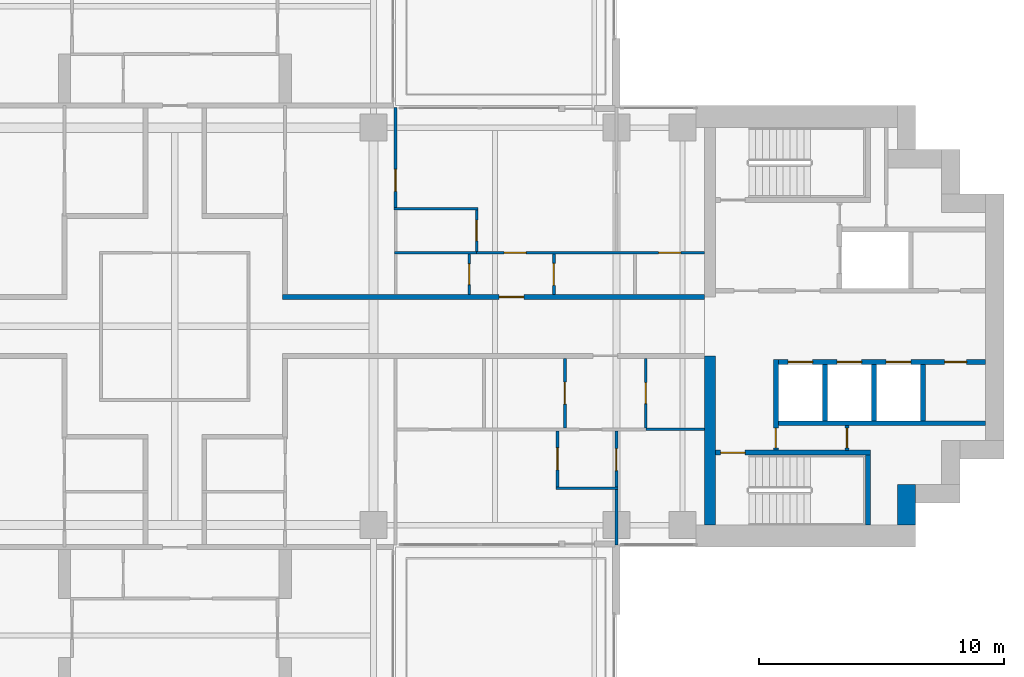
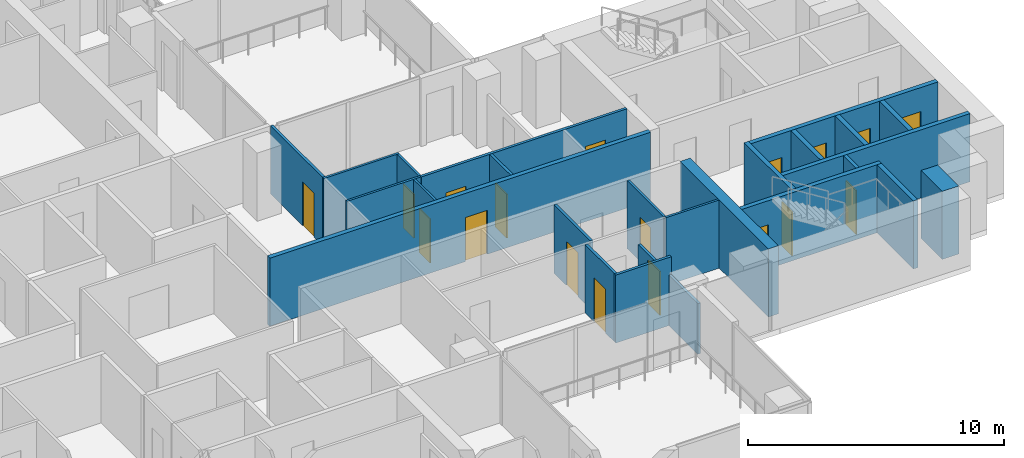
# One storey, part 12 of 19: 25 walls, 18 doors, 18 openings.
"""IFC4 building model written with IfcOpenShell, lengths in metres."""

from ifc_helpers import new_model, si_unit, direction, frame, frame_2d, origin, place, context, subcontext, project, spatial, rectangle, extrude, material, layer, layer_set, type_object, element, fill, save


model = new_model("IFC4")

# Units and contexts
model_context = context("Model", 3, precision=1e-05, world=origin(), true_north=direction((0.0, 1.0)))
body_context = subcontext(model_context, "Body", "Model", "MODEL_VIEW")
ifc_project = project(units=[si_unit("LENGTHUNIT", "METRE"), si_unit("AREAUNIT", "SQUARE_METRE"), si_unit("VOLUMEUNIT", "CUBIC_METRE"), si_unit("PLANEANGLEUNIT", "RADIAN"), si_unit("MASSUNIT", "GRAM", prefix="KILO")], contexts=[model_context])

# Site, building, storey
site_placement = place(None, origin())
site = spatial("IfcSite", under=ifc_project, at=site_placement, CompositionType="ELEMENT")
building_placement = place(site_placement, origin())
building = spatial("IfcBuilding", under=site, at=building_placement, Name="Perihelion Cross Residences", CompositionType="ELEMENT")
storey_placement = place(building_placement, frame((0.0, 0.0, 144.39990234375)))
storey = spatial("IfcBuildingStorey", under=building, at=storey_placement, Name="L35", CompositionType="ELEMENT", Elevation=144.39990234375)

# Wall, opening, door
ifc_material_1 = material(Name="Plasterboard partition")
ifc_layer_1 = layer(ifc_material_1, 0.199951171875)
ifc_layer_set_1 = layer_set([ifc_layer_1], Name="Apartment separation wall 200")
wall_type_1 = type_object("IfcWallType", Name="Apartment separation wall 200", PredefinedType="PARTITIONING", material=ifc_layer_set_1)
wall_1_placement = place(storey_placement, frame((4.39990234375, 1.199951171875, 0.0), z_axis=(0.0, 0.0, 1.0), x_axis=(1.0, 0.0, 0.0)))
wall_1 = element("IfcWall", 1, at=wall_1_placement, inside=storey, type_object=wall_type_1, Name="Partition L35 W005", PredefinedType="PARTITIONING", context=body_context, shape_type="SweptSolid", body=[
    extrude(rectangle(XDim=17.2001953125, YDim=0.199951171875, at=frame_2d((8.60009765625, 0.0))), origin(), (0.0, 0.0, 1.0), 3.25),
])
opening_1_placement = place(wall_1_placement, frame((8.824951171875, 0.0, 0.0)))
opening_1 = element("IfcOpeningElement", 2, at=opening_1_placement, cuts=wall_1, Name="Opening L35.A50", PredefinedType="OPENING", context=body_context, shape_type="SweptSolid", body=[
    extrude(rectangle(XDim=1.0, YDim=2.10009765625, at=frame_2d((0.5, 1.050048828125))), frame((0.0, 0.10986328125, 0.0), z_axis=(0.0, -1.0, 0.0), x_axis=(1.0, 0.0, 0.0)), (0.0, 0.0, 1.0), 0.219970703125),
])
ifc_material_2 = material(Name="Timber door leaf", Category="wood")
door_type_1 = type_object("IfcDoorType", Name="Flat entrance door 1000 x 2100", OperationType="SINGLE_SWING_LEFT", PredefinedType="DOOR", material=ifc_material_2)
door_1_placement = place(opening_1_placement, origin())
door_1 = element("IfcDoor", 3, at=door_1_placement, inside=storey, type_object=door_type_1, Name="Door L35.A50", OperationType="SINGLE_SWING_LEFT", OverallHeight=2.10009765625, OverallWidth=1.0, PredefinedType="DOOR", context=body_context, shape_type="SweptSolid", body=[
    extrude(rectangle(XDim=1.0, YDim=2.10009765625, at=frame_2d((0.5, 1.050048828125))), frame((0.0, 0.02490234375, 0.0), z_axis=(0.0, -1.0, 0.0), x_axis=(1.0, 0.0, 0.0)), (0.0, 0.0, 1.0), 0.050048828125),
])
fill(opening_1, door_1)

# Walls
ifc_material_3 = material(Name="Concrete C60/75", Category="concrete")
ifc_layer_2 = layer(ifc_material_3, 0.449951171875)
ifc_layer_set_2 = layer_set([ifc_layer_2], Name="Core wall, inner 450")
wall_type_2 = type_object("IfcWallType", Name="Core wall, inner 450", PredefinedType="SHEAR", material=ifc_layer_set_2)
wall_2_placement = place(storey_placement, frame((21.824951171875, -8.10009765625, 0.0), z_axis=(0.0, 0.0, 1.0), x_axis=(0.0, 1.0, 0.0)))
element("IfcWall", 4, at=wall_2_placement, inside=storey, type_object=wall_type_2, Name="East core core wall, inner", PredefinedType="SHEAR", context=body_context, shape_type="SweptSolid", body=[
    extrude(rectangle(XDim=6.900146484375, YDim=0.449951171875, at=frame_2d((3.4501953125, 0.0))), origin(), (0.0, 0.0, 1.0), 3.25),
])
ifc_material_4 = material(Name="Concrete C60/75", Category="concrete")
ifc_layer_3 = layer(ifc_material_4, 0.75)
ifc_layer_set_3 = layer_set([ifc_layer_3], Name="Core wall, outer 750")
wall_type_3 = type_object("IfcWallType", Name="Core wall, outer 750", PredefinedType="SHEAR", material=ifc_layer_set_3)
wall_3_placement = place(storey_placement, frame((29.824951171875, -8.10009765625, 0.0), z_axis=(0.0, 0.0, 1.0), x_axis=(0.0, 1.0, 0.0)))
element("IfcWall", 5, at=wall_3_placement, inside=storey, type_object=wall_type_3, Name="East core core wall, outer", PredefinedType="SHEAR", context=body_context, shape_type="SweptSolid", body=[
    extrude(rectangle(XDim=1.650146484375, YDim=0.75, at=frame_2d((0.8251953125, 0.0))), origin(), (0.0, 0.0, 1.0), 3.25),
])

# Wall, opening, door
ifc_material_5 = material(Name="Concrete C50/60", Category="concrete")
ifc_layer_4 = layer(ifc_material_5, 0.199951171875)
ifc_layer_set_4 = layer_set([ifc_layer_4], Name="Lobby wall 200")
wall_type_4 = type_object("IfcWallType", Name="Lobby wall 200", PredefinedType="SOLIDWALL", material=ifc_layer_set_4)
wall_4_placement = place(storey_placement, frame((24.5, -5.050048828125, 0.0), z_axis=(0.0, 0.0, 1.0), x_axis=(0.0, 1.0, 0.0)))
wall_4 = element("IfcWall", 6, at=wall_4_placement, inside=storey, type_object=wall_type_4, Name="East core lobby wall", PredefinedType="SOLIDWALL", context=body_context, shape_type="SweptSolid", body=[
    extrude(rectangle(XDim=3.699951171875, YDim=0.199951171875, at=frame_2d((1.85009765625, 0.0))), origin(), (0.0, 0.0, 1.0), 3.25),
])
opening_2_placement = place(wall_4_placement, frame((0.10009765625, 0.0, 0.0)))
opening_2 = element("IfcOpeningElement", 7, at=opening_2_placement, cuts=wall_4, Name="Opening L35.C08", PredefinedType="OPENING", context=body_context, shape_type="SweptSolid", body=[
    extrude(rectangle(XDim=0.800048828125, YDim=2.10009765625, at=frame_2d((0.39990234375, 1.050048828125))), frame((0.0, 0.10986328125, 0.0), z_axis=(0.0, -1.0, 0.0), x_axis=(1.0, 0.0, 0.0)), (0.0, 0.0, 1.0), 0.219970703125),
])
ifc_material_6 = material(Name="Steel, powder coated", Category="steel")
door_type_2 = type_object("IfcDoorType", Name="Riser door 800", OperationType="SINGLE_SWING_LEFT", PredefinedType="DOOR", material=ifc_material_6)
door_2_placement = place(opening_2_placement, origin())
door_2 = element("IfcDoor", 8, at=door_2_placement, inside=storey, type_object=door_type_2, Name="East core riser door", OperationType="SINGLE_SWING_LEFT", OverallHeight=2.10009765625, OverallWidth=0.800048828125, PredefinedType="DOOR", context=body_context, shape_type="SweptSolid", body=[
    extrude(rectangle(XDim=0.800048828125, YDim=2.10009765625, at=frame_2d((0.39990234375, 1.050048828125))), frame((0.0, 0.02490234375, 0.0), z_axis=(0.0, -1.0, 0.0), x_axis=(1.0, 0.0, 0.0)), (0.0, 0.0, 1.0), 0.050048828125),
])
fill(opening_2, door_2)

ifc_material_7 = material(Name="Plasterboard partition")
ifc_layer_5 = layer(ifc_material_7, 0.1201171875)
ifc_layer_set_5 = layer_set([ifc_layer_5], Name="Partition wall 120")
wall_type_5 = type_object("IfcWallType", Name="Partition wall 120", PredefinedType="PARTITIONING", material=ifc_layer_set_5)
wall_5_placement = place(storey_placement, frame((15.449951171875, 2.93994140625, 0.0), z_axis=(0.0, 0.0, 1.0), x_axis=(0.0, -1.0, 0.0)))
wall_5 = element("IfcWall", 9, at=wall_5_placement, inside=storey, type_object=wall_type_5, Name="Partition L35 W026", PredefinedType="PARTITIONING", context=body_context, shape_type="SweptSolid", body=[
    extrude(rectangle(XDim=1.639892578125, YDim=0.1201171875, at=frame_2d((0.81982421875, 0.0))), origin(), (0.0, 0.0, 1.0), 3.25),
])
opening_3_placement = place(wall_5_placement, frame((0.3701171875, 0.0, 0.0)))
opening_3 = element("IfcOpeningElement", 10, at=opening_3_placement, cuts=wall_5, Name="Opening L35.A05", PredefinedType="OPENING", context=body_context, shape_type="SweptSolid", body=[
    extrude(rectangle(XDim=0.89990234375, YDim=2.10009765625, at=frame_2d((0.449951171875, 1.050048828125))), frame((0.0, 0.070068359375, 0.0), z_axis=(0.0, -1.0, 0.0), x_axis=(1.0, 0.0, 0.0)), (0.0, 0.0, 1.0), 0.14013671875),
])
ifc_material_8 = material(Name="Timber door leaf", Category="wood")
door_type_3 = type_object("IfcDoorType", Name="Interior room door 900 x 2100", OperationType="SINGLE_SWING_LEFT", PredefinedType="DOOR", material=ifc_material_8)
door_3_placement = place(opening_3_placement, origin())
door_3 = element("IfcDoor", 11, at=door_3_placement, inside=storey, type_object=door_type_3, Name="Door L35.A05", OperationType="SINGLE_SWING_LEFT", OverallHeight=2.10009765625, OverallWidth=0.89990234375, PredefinedType="DOOR", context=body_context, shape_type="SweptSolid", body=[
    extrude(rectangle(XDim=0.89990234375, YDim=2.10009765625, at=frame_2d((0.449951171875, 1.050048828125))), frame((0.0, 0.02490234375, 0.0), z_axis=(0.0, -1.0, 0.0), x_axis=(1.0, 0.0, 0.0)), (0.0, 0.0, 1.0), 0.050048828125),
])
fill(opening_3, door_3)

# Wall, openings, doors
wall_6_placement = place(storey_placement, frame((12.300048828125, 3.0, 0.0), z_axis=(0.0, 0.0, 1.0), x_axis=(1.0, 0.0, 0.0)))
wall_6 = element("IfcWall", 12, at=wall_6_placement, inside=storey, type_object=wall_type_5, Name="Partition L35 W027", PredefinedType="PARTITIONING", context=body_context, shape_type="SweptSolid", body=[
    extrude(rectangle(XDim=9.300048828125, YDim=0.1201171875, at=frame_2d((4.64990234375, 0.0))), origin(), (0.0, 0.0, 1.0), 3.25),
])
opening_4_placement = place(wall_6_placement, frame((1.125, 0.0, 0.0)))
opening_4 = element("IfcOpeningElement", 13, at=opening_4_placement, cuts=wall_6, Name="Opening L35.A06", PredefinedType="OPENING", context=body_context, shape_type="SweptSolid", body=[
    extrude(rectangle(XDim=0.89990234375, YDim=2.10009765625, at=frame_2d((0.449951171875, 1.050048828125))), frame((0.0, 0.070068359375, 0.0), z_axis=(0.0, -1.0, 0.0), x_axis=(1.0, 0.0, 0.0)), (0.0, 0.0, 1.0), 0.14013671875),
])
opening_5_placement = place(wall_6_placement, frame((7.425048828125, 0.0, 0.0)))
opening_5 = element("IfcOpeningElement", 14, at=opening_5_placement, cuts=wall_6, Name="Opening L35.A09", PredefinedType="OPENING", context=body_context, shape_type="SweptSolid", body=[
    extrude(rectangle(XDim=0.89990234375, YDim=2.10009765625, at=frame_2d((0.449951171875, 1.050048828125))), frame((0.0, 0.070068359375, 0.0), z_axis=(0.0, -1.0, 0.0), x_axis=(1.0, 0.0, 0.0)), (0.0, 0.0, 1.0), 0.14013671875),
])
door_4_placement = place(opening_4_placement, origin())
door_4 = element("IfcDoor", 15, at=door_4_placement, inside=storey, type_object=door_type_3, Name="Door L35.A06", OperationType="SINGLE_SWING_RIGHT", OverallHeight=2.10009765625, OverallWidth=0.89990234375, PredefinedType="DOOR", context=body_context, shape_type="SweptSolid", body=[
    extrude(rectangle(XDim=0.89990234375, YDim=2.10009765625, at=frame_2d((0.449951171875, 1.050048828125))), frame((0.0, 0.02490234375, 0.0), z_axis=(0.0, -1.0, 0.0), x_axis=(1.0, 0.0, 0.0)), (0.0, 0.0, 1.0), 0.050048828125),
])
fill(opening_4, door_4)
door_5_placement = place(opening_5_placement, origin())
door_5 = element("IfcDoor", 16, at=door_5_placement, inside=storey, type_object=door_type_3, Name="Door L35.A09", OperationType="SINGLE_SWING_LEFT", OverallHeight=2.10009765625, OverallWidth=0.89990234375, PredefinedType="DOOR", context=body_context, shape_type="SweptSolid", body=[
    extrude(rectangle(XDim=0.89990234375, YDim=2.10009765625, at=frame_2d((0.449951171875, 1.050048828125))), frame((0.0, 0.02490234375, 0.0), z_axis=(0.0, -1.0, 0.0), x_axis=(1.0, 0.0, 0.0)), (0.0, 0.0, 1.0), 0.050048828125),
])
fill(opening_5, door_5)

# Wall, opening, door
wall_7_placement = place(storey_placement, frame((9.0, 4.800048828125, 0.0), z_axis=(0.0, 0.0, 1.0), x_axis=(0.0, 1.0, 0.0)))
wall_7 = element("IfcWall", 17, at=wall_7_placement, inside=storey, type_object=wall_type_5, Name="Partition L35 W032", PredefinedType="PARTITIONING", context=body_context, shape_type="SweptSolid", body=[
    extrude(rectangle(XDim=4.119873046875, YDim=0.1201171875, at=frame_2d((2.06005859375, 0.0))), origin(), (0.0, 0.0, 1.0), 3.25),
])
opening_6_placement = place(wall_7_placement, frame((0.699951171875, 0.0, 0.0)))
opening_6 = element("IfcOpeningElement", 18, at=opening_6_placement, cuts=wall_7, Name="Opening L35.A08", PredefinedType="OPENING", context=body_context, shape_type="SweptSolid", body=[
    extrude(rectangle(XDim=0.89990234375, YDim=2.10009765625, at=frame_2d((0.449951171875, 1.050048828125))), frame((0.0, 0.070068359375, 0.0), z_axis=(0.0, -1.0, 0.0), x_axis=(1.0, 0.0, 0.0)), (0.0, 0.0, 1.0), 0.14013671875),
])
door_6_placement = place(opening_6_placement, origin())
door_6 = element("IfcDoor", 19, at=door_6_placement, inside=storey, type_object=door_type_3, Name="Door L35.A08", OperationType="SINGLE_SWING_LEFT", OverallHeight=2.10009765625, OverallWidth=0.89990234375, PredefinedType="DOOR", context=body_context, shape_type="SweptSolid", body=[
    extrude(rectangle(XDim=0.89990234375, YDim=2.10009765625, at=frame_2d((0.449951171875, 1.050048828125))), frame((0.0, 0.02490234375, 0.0), z_axis=(0.0, -1.0, 0.0), x_axis=(1.0, 0.0, 0.0)), (0.0, 0.0, 1.0), 0.050048828125),
])
fill(opening_6, door_6)

wall_8_placement = place(storey_placement, frame((15.89990234375, -1.300048828125, 0.0), z_axis=(0.0, 0.0, 1.0), x_axis=(0.0, -1.0, 0.0)))
wall_8 = element("IfcWall", 20, at=wall_8_placement, inside=storey, type_object=wall_type_5, Name="Partition L35 W037", PredefinedType="PARTITIONING", context=body_context, shape_type="SweptSolid", body=[
    extrude(rectangle(XDim=2.83984375, YDim=0.1201171875, at=frame_2d((1.419921875, 0.0))), origin(), (0.0, 0.0, 1.0), 3.25),
])
opening_7_placement = place(wall_8_placement, frame((0.969970703125, 0.0, 0.0)))
opening_7 = element("IfcOpeningElement", 21, at=opening_7_placement, cuts=wall_8, Name="Opening L35.A13", PredefinedType="OPENING", context=body_context, shape_type="SweptSolid", body=[
    extrude(rectangle(XDim=0.89990234375, YDim=2.10009765625, at=frame_2d((0.449951171875, 1.050048828125))), frame((0.0, 0.070068359375, 0.0), z_axis=(0.0, -1.0, 0.0), x_axis=(1.0, 0.0, 0.0)), (0.0, 0.0, 1.0), 0.14013671875),
])
door_7_placement = place(opening_7_placement, origin())
door_7 = element("IfcDoor", 22, at=door_7_placement, inside=storey, type_object=door_type_3, Name="Door L35.A13", OperationType="SINGLE_SWING_RIGHT", OverallHeight=2.10009765625, OverallWidth=0.89990234375, PredefinedType="DOOR", context=body_context, shape_type="SweptSolid", body=[
    extrude(rectangle(XDim=0.89990234375, YDim=2.10009765625, at=frame_2d((0.449951171875, 1.050048828125))), frame((0.0, 0.02490234375, 0.0), z_axis=(0.0, -1.0, 0.0), x_axis=(1.0, 0.0, 0.0)), (0.0, 0.0, 1.0), 0.050048828125),
])
fill(opening_7, door_7)

wall_9_placement = place(storey_placement, frame((15.60009765625, -4.260009765625, 0.0), z_axis=(0.0, 0.0, 1.0), x_axis=(0.0, -1.0, 0.0)))
wall_9 = element("IfcWall", 23, at=wall_9_placement, inside=storey, type_object=wall_type_5, Name="Partition L35 W040", PredefinedType="PARTITIONING", context=body_context, shape_type="SweptSolid", body=[
    extrude(rectangle(XDim=2.280029296875, YDim=0.1201171875, at=frame_2d((1.14013671875, 0.0))), origin(), (0.0, 0.0, 1.0), 3.25),
])
opening_8_placement = place(wall_9_placement, frame((0.68994140625, 0.0, 0.0)))
opening_8 = element("IfcOpeningElement", 24, at=opening_8_placement, cuts=wall_9, Name="Opening L35.A15", PredefinedType="OPENING", context=body_context, shape_type="SweptSolid", body=[
    extrude(rectangle(XDim=0.89990234375, YDim=2.10009765625, at=frame_2d((0.449951171875, 1.050048828125))), frame((0.0, 0.070068359375, 0.0), z_axis=(0.0, -1.0, 0.0), x_axis=(1.0, 0.0, 0.0)), (0.0, 0.0, 1.0), 0.14013671875),
])
door_8_placement = place(opening_8_placement, origin())
door_8 = element("IfcDoor", 25, at=door_8_placement, inside=storey, type_object=door_type_3, Name="Door L35.A15", OperationType="SINGLE_SWING_LEFT", OverallHeight=2.10009765625, OverallWidth=0.89990234375, PredefinedType="DOOR", context=body_context, shape_type="SweptSolid", body=[
    extrude(rectangle(XDim=0.89990234375, YDim=2.10009765625, at=frame_2d((0.449951171875, 1.050048828125))), frame((0.0, 0.02490234375, 0.0), z_axis=(0.0, -1.0, 0.0), x_axis=(1.0, 0.0, 0.0)), (0.0, 0.0, 1.0), 0.050048828125),
])
fill(opening_8, door_8)

# Wall
wall_10_placement = place(storey_placement, frame((15.5400390625, -6.60009765625, 0.0), z_axis=(0.0, 0.0, 1.0), x_axis=(1.0, 0.0, 0.0)))
element("IfcWall", 26, at=wall_10_placement, inside=storey, type_object=wall_type_5, Name="Partition L35 W041", PredefinedType="PARTITIONING", context=body_context, shape_type="SweptSolid", body=[
    extrude(rectangle(XDim=2.52001953125, YDim=0.1201171875, at=frame_2d((1.260009765625, 0.0))), origin(), (0.0, 0.0, 1.0), 3.25),
])

# Wall, opening, door
wall_11_placement = place(storey_placement, frame((18.0, -4.260009765625, 0.0), z_axis=(0.0, 0.0, 1.0), x_axis=(0.0, -1.0, 0.0)))
wall_11 = element("IfcWall", 27, at=wall_11_placement, inside=storey, type_object=wall_type_5, Name="Partition L35 W042", PredefinedType="PARTITIONING", context=body_context, shape_type="SweptSolid", body=[
    extrude(rectangle(XDim=4.659912109375, YDim=0.1201171875, at=frame_2d((2.330078125, 0.0))), origin(), (0.0, 0.0, 1.0), 2.4140625),
])
opening_9_placement = place(wall_11_placement, frame((0.719970703125, 0.0, 0.0)))
opening_9 = element("IfcOpeningElement", 28, at=opening_9_placement, cuts=wall_11, Name="Opening L35.A16", PredefinedType="OPENING", context=body_context, shape_type="SweptSolid", body=[
    extrude(rectangle(XDim=0.89990234375, YDim=2.10009765625, at=frame_2d((0.449951171875, 1.050048828125))), frame((0.0, 0.070068359375, 0.0), z_axis=(0.0, -1.0, 0.0), x_axis=(1.0, 0.0, 0.0)), (0.0, 0.0, 1.0), 0.14013671875),
])
door_9_placement = place(opening_9_placement, origin())
door_9 = element("IfcDoor", 29, at=door_9_placement, inside=storey, type_object=door_type_3, Name="Door L35.A16", OperationType="SINGLE_SWING_LEFT", OverallHeight=2.10009765625, OverallWidth=0.89990234375, PredefinedType="DOOR", context=body_context, shape_type="SweptSolid", body=[
    extrude(rectangle(XDim=0.89990234375, YDim=2.10009765625, at=frame_2d((0.449951171875, 1.050048828125))), frame((0.0, 0.02490234375, 0.0), z_axis=(0.0, -1.0, 0.0), x_axis=(1.0, 0.0, 0.0)), (0.0, 0.0, 1.0), 0.050048828125),
])
fill(opening_9, door_9)

ifc_material_9 = material(Name="Fire-rated board on steel stud", Category="steel")
ifc_layer_6 = layer(ifc_material_9, 0.14990234375)
ifc_layer_set_6 = layer_set([ifc_layer_6], Name="Riser wall 150")
wall_type_6 = type_object("IfcWallType", Name="Riser wall 150", PredefinedType="PARTITIONING", material=ifc_layer_set_6)
wall_12_placement = place(storey_placement, frame((27.39990234375, -5.050048828125, 0.0), z_axis=(0.0, 0.0, 1.0), x_axis=(0.0, 1.0, 0.0)))
wall_12 = element("IfcWall", 30, at=wall_12_placement, inside=storey, type_object=wall_type_6, Name="East core riser wall", PredefinedType="PARTITIONING", context=body_context, shape_type="SweptSolid", body=[
    extrude(rectangle(XDim=1.0, YDim=0.14990234375, at=frame_2d((0.5, 0.0))), origin(), (0.0, 0.0, 1.0), 3.25),
])
opening_10_placement = place(wall_12_placement, frame((0.10009765625, 0.0, 0.0)))
opening_10 = element("IfcOpeningElement", 31, at=opening_10_placement, cuts=wall_12, Name="Opening L35.C11", PredefinedType="OPENING", context=body_context, shape_type="SweptSolid", body=[
    extrude(rectangle(XDim=0.800048828125, YDim=2.10009765625, at=frame_2d((0.39990234375, 1.050048828125))), frame((0.0, 0.0849609375, 0.0), z_axis=(0.0, -1.0, 0.0), x_axis=(1.0, 0.0, 0.0)), (0.0, 0.0, 1.0), 0.169921875),
])
door_10_placement = place(opening_10_placement, origin())
door_10 = element("IfcDoor", 32, at=door_10_placement, inside=storey, type_object=door_type_2, Name="East core riser door", OperationType="SINGLE_SWING_LEFT", OverallHeight=2.10009765625, OverallWidth=0.800048828125, PredefinedType="DOOR", context=body_context, shape_type="SweptSolid", body=[
    extrude(rectangle(XDim=0.800048828125, YDim=2.10009765625, at=frame_2d((0.39990234375, 1.050048828125))), frame((0.0, 0.02490234375, 0.0), z_axis=(0.0, -1.0, 0.0), x_axis=(1.0, 0.0, 0.0)), (0.0, 0.0, 1.0), 0.050048828125),
])
fill(opening_10, door_10)

# Wall, openings, doors
ifc_material_10 = material(Name="Concrete C50/60", Category="concrete")
ifc_layer_7 = layer(ifc_material_10, 0.199951171875)
ifc_layer_set_7 = layer_set([ifc_layer_7], Name="Shaft wall 200")
wall_type_7 = type_object("IfcWallType", Name="Shaft wall 200", PredefinedType="SOLIDWALL", material=ifc_layer_set_7)
wall_13_placement = place(storey_placement, frame((24.60009765625, -1.449951171875, 0.0), z_axis=(0.0, 0.0, 1.0), x_axis=(1.0, 0.0, 0.0)))
wall_13 = element("IfcWall", 33, at=wall_13_placement, inside=storey, type_object=wall_type_7, Name="East core shaft wall", PredefinedType="SOLIDWALL", context=body_context, shape_type="SweptSolid", body=[
    extrude(rectangle(XDim=8.449951171875, YDim=0.199951171875, at=frame_2d((4.22509765625, 0.0))), origin(), (0.0, 0.0, 1.0), 3.25),
])
opening_11_placement = place(wall_13_placement, frame((0.39990234375, 0.0, 0.0)))
opening_11 = element("IfcOpeningElement", 34, at=opening_11_placement, cuts=wall_13, Name="Opening L35.C01", PredefinedType="OPENING", context=body_context, shape_type="SweptSolid", body=[
    extrude(rectangle(XDim=1.0, YDim=2.10009765625, at=frame_2d((0.5, 1.050048828125))), frame((0.0, 0.10986328125, 0.0), z_axis=(0.0, -1.0, 0.0), x_axis=(1.0, 0.0, 0.0)), (0.0, 0.0, 1.0), 0.219970703125),
])
opening_12_placement = place(wall_13_placement, frame((2.39990234375, 0.0, 0.0)))
opening_12 = element("IfcOpeningElement", 35, at=opening_12_placement, cuts=wall_13, Name="Opening L35.C03", PredefinedType="OPENING", context=body_context, shape_type="SweptSolid", body=[
    extrude(rectangle(XDim=1.0, YDim=2.10009765625, at=frame_2d((0.5, 1.050048828125))), frame((0.0, 0.10986328125, 0.0), z_axis=(0.0, -1.0, 0.0), x_axis=(1.0, 0.0, 0.0)), (0.0, 0.0, 1.0), 0.219970703125),
])
opening_13_placement = place(wall_13_placement, frame((4.39990234375, 0.0, 0.0)))
opening_13 = element("IfcOpeningElement", 36, at=opening_13_placement, cuts=wall_13, Name="Opening L35.C04", PredefinedType="OPENING", context=body_context, shape_type="SweptSolid", body=[
    extrude(rectangle(XDim=1.0, YDim=2.10009765625, at=frame_2d((0.5, 1.050048828125))), frame((0.0, 0.10986328125, 0.0), z_axis=(0.0, -1.0, 0.0), x_axis=(1.0, 0.0, 0.0)), (0.0, 0.0, 1.0), 0.219970703125),
])
opening_14_placement = place(wall_13_placement, frame((6.77490234375, 0.0, 0.0)))
opening_14 = element("IfcOpeningElement", 37, at=opening_14_placement, cuts=wall_13, Name="Opening L35.C14", PredefinedType="OPENING", context=body_context, shape_type="SweptSolid", body=[
    extrude(rectangle(XDim=0.89990234375, YDim=2.10009765625, at=frame_2d((0.449951171875, 1.050048828125))), frame((0.0, 0.10986328125, 0.0), z_axis=(0.0, -1.0, 0.0), x_axis=(1.0, 0.0, 0.0)), (0.0, 0.0, 1.0), 0.219970703125),
])
ifc_material_11 = material(Name="Stainless steel", Category="steel")
door_type_4 = type_object("IfcDoorType", Name="Landing door 1000", OperationType="DOUBLE_DOOR_SLIDING", PredefinedType="DOOR", material=ifc_material_11)
door_11_placement = place(opening_11_placement, origin())
door_11 = element("IfcDoor", 38, at=door_11_placement, inside=storey, type_object=door_type_4, Name="Landing door, East core high-rise lift 1", OperationType="DOUBLE_DOOR_SLIDING", OverallHeight=2.10009765625, OverallWidth=1.0, PredefinedType="DOOR", context=body_context, shape_type="SweptSolid", body=[
    extrude(rectangle(XDim=1.0, YDim=2.10009765625, at=frame_2d((0.5, 1.050048828125))), frame((0.0, 0.02490234375, 0.0), z_axis=(0.0, -1.0, 0.0), x_axis=(1.0, 0.0, 0.0)), (0.0, 0.0, 1.0), 0.050048828125),
])
fill(opening_11, door_11)
door_12_placement = place(opening_12_placement, origin())
door_12 = element("IfcDoor", 39, at=door_12_placement, inside=storey, type_object=door_type_4, Name="Landing door, East core high-rise lift 2", OperationType="DOUBLE_DOOR_SLIDING", OverallHeight=2.10009765625, OverallWidth=1.0, PredefinedType="DOOR", context=body_context, shape_type="SweptSolid", body=[
    extrude(rectangle(XDim=1.0, YDim=2.10009765625, at=frame_2d((0.5, 1.050048828125))), frame((0.0, 0.02490234375, 0.0), z_axis=(0.0, -1.0, 0.0), x_axis=(1.0, 0.0, 0.0)), (0.0, 0.0, 1.0), 0.050048828125),
])
fill(opening_12, door_12)
door_13_placement = place(opening_13_placement, origin())
door_13 = element("IfcDoor", 40, at=door_13_placement, inside=storey, type_object=door_type_4, Name="Landing door, East core high-rise lift 3", OperationType="DOUBLE_DOOR_SLIDING", OverallHeight=2.10009765625, OverallWidth=1.0, PredefinedType="DOOR", context=body_context, shape_type="SweptSolid", body=[
    extrude(rectangle(XDim=1.0, YDim=2.10009765625, at=frame_2d((0.5, 1.050048828125))), frame((0.0, 0.02490234375, 0.0), z_axis=(0.0, -1.0, 0.0), x_axis=(1.0, 0.0, 0.0)), (0.0, 0.0, 1.0), 0.050048828125),
])
fill(opening_13, door_13)
ifc_material_12 = material(Name="Steel, powder coated", Category="steel")
door_type_5 = type_object("IfcDoorType", Name="Service room door 900", OperationType="SINGLE_SWING_LEFT", PredefinedType="DOOR", material=ifc_material_12)
door_14_placement = place(opening_14_placement, origin())
door_14 = element("IfcDoor", 41, at=door_14_placement, inside=storey, type_object=door_type_5, Name="East core service room door", OperationType="SINGLE_SWING_LEFT", OverallHeight=2.10009765625, OverallWidth=0.89990234375, PredefinedType="DOOR", context=body_context, shape_type="SweptSolid", body=[
    extrude(rectangle(XDim=0.89990234375, YDim=2.10009765625, at=frame_2d((0.449951171875, 1.050048828125))), frame((0.0, 0.02490234375, 0.0), z_axis=(0.0, -1.0, 0.0), x_axis=(1.0, 0.0, 0.0)), (0.0, 0.0, 1.0), 0.050048828125),
])
fill(opening_14, door_14)

# Walls
wall_14_placement = place(storey_placement, frame((24.60009765625, -3.949951171875, 0.0), z_axis=(0.0, 0.0, 1.0), x_axis=(1.0, 0.0, 0.0)))
element("IfcWall", 42, at=wall_14_placement, inside=storey, type_object=wall_type_7, Name="East core shaft wall", PredefinedType="SOLIDWALL", context=body_context, shape_type="SweptSolid", body=[
    extrude(rectangle(XDim=8.449951171875, YDim=0.199951171875, at=frame_2d((4.22509765625, 0.0))), origin(), (0.0, 0.0, 1.0), 3.25),
])
for number, where, z_axis, x_axis, name in (
    (43, (26.5, -3.85009765625, 0.0), (0.0, 0.0, 1.0), (0.0, 1.0, 0.0), "East core shaft wall"),
    (44, (28.5, -3.85009765625, 0.0), (0.0, 0.0, 1.0), (0.0, 1.0, 0.0), "East core shaft wall"),
    (45, (30.5, -3.85009765625, 0.0), (0.0, 0.0, 1.0), (0.0, 1.0, 0.0), "East core shaft wall"),
):
    element("IfcWall", number, at=place(storey_placement, frame(where, z_axis=z_axis, x_axis=x_axis)), inside=storey, type_object=wall_type_7, Name=name, PredefinedType="SOLIDWALL", context=body_context, shape_type="SweptSolid", body=[
        extrude(rectangle(XDim=2.300048828125, YDim=0.199951171875, at=frame_2d((1.14990234375, 0.0))), origin(), (0.0, 0.0, 1.0), 3.25),
    ])

# Wall, opening, door
ifc_material_13 = material(Name="Concrete C50/60", Category="concrete")
ifc_layer_8 = layer(ifc_material_13, 0.199951171875)
ifc_layer_set_8 = layer_set([ifc_layer_8], Name="Stair wall 200")
wall_type_8 = type_object("IfcWallType", Name="Stair wall 200", PredefinedType="SOLIDWALL", material=ifc_layer_set_8)
wall_15_placement = place(storey_placement, frame((22.050048828125, -5.14990234375, 0.0), z_axis=(0.0, 0.0, 1.0), x_axis=(1.0, 0.0, 0.0)))
wall_15 = element("IfcWall", 46, at=wall_15_placement, inside=storey, type_object=wall_type_8, Name="East core stair wall", PredefinedType="SOLIDWALL", context=body_context, shape_type="SweptSolid", body=[
    extrude(rectangle(XDim=6.300048828125, YDim=0.199951171875, at=frame_2d((3.14990234375, 0.0))), origin(), (0.0, 0.0, 1.0), 3.25),
])
opening_15_placement = place(wall_15_placement, frame((0.199951171875, 0.0, 0.0)))
opening_15 = element("IfcOpeningElement", 47, at=opening_15_placement, cuts=wall_15, Name="Opening L35.C05", PredefinedType="OPENING", context=body_context, shape_type="SweptSolid", body=[
    extrude(rectangle(XDim=1.0, YDim=2.10009765625, at=frame_2d((0.5, 1.050048828125))), frame((0.0, 0.10986328125, 0.0), z_axis=(0.0, -1.0, 0.0), x_axis=(1.0, 0.0, 0.0)), (0.0, 0.0, 1.0), 0.219970703125),
])
ifc_material_14 = material(Name="Steel, powder coated", Category="steel")
door_type_6 = type_object("IfcDoorType", Name="Stair door 1000", OperationType="SINGLE_SWING_LEFT", PredefinedType="DOOR", material=ifc_material_14)
door_15_placement = place(opening_15_placement, origin())
door_15 = element("IfcDoor", 48, at=door_15_placement, inside=storey, type_object=door_type_6, Name="East core stair door", OperationType="SINGLE_SWING_LEFT", OverallHeight=2.10009765625, OverallWidth=1.0, PredefinedType="DOOR", context=body_context, shape_type="SweptSolid", body=[
    extrude(rectangle(XDim=1.0, YDim=2.10009765625, at=frame_2d((0.5, 1.050048828125))), frame((0.0, 0.02490234375, 0.0), z_axis=(0.0, -1.0, 0.0), x_axis=(1.0, 0.0, 0.0)), (0.0, 0.0, 1.0), 0.050048828125),
])
fill(opening_15, door_15)

# Wall
wall_16_placement = place(storey_placement, frame((28.25, -8.10009765625, 0.0), z_axis=(0.0, 0.0, 1.0), x_axis=(0.0, 1.0, 0.0)))
element("IfcWall", 49, at=wall_16_placement, inside=storey, type_object=wall_type_8, Name="East core stair wall", PredefinedType="SOLIDWALL", context=body_context, shape_type="SweptSolid", body=[
    extrude(rectangle(XDim=2.85009765625, YDim=0.199951171875, at=frame_2d((1.425048828125, 0.0))), origin(), (0.0, 0.0, 1.0), 3.25),
])

# Wall, opening, door
ifc_material_15 = material(Name="Plasterboard partition")
ifc_layer_9 = layer(ifc_material_15, 0.10009765625)
ifc_layer_set_9 = layer_set([ifc_layer_9], Name="Wet room wall 100")
wall_type_9 = type_object("IfcWallType", Name="Wet room wall 100", PredefinedType="PARTITIONING", material=ifc_layer_set_9)
wall_17_placement = place(storey_placement, frame((12.0, 2.949951171875, 0.0), z_axis=(0.0, 0.0, 1.0), x_axis=(0.0, -1.0, 0.0)))
wall_17 = element("IfcWall", 50, at=wall_17_placement, inside=storey, type_object=wall_type_9, Name="Partition L35 W023", PredefinedType="PARTITIONING", context=body_context, shape_type="SweptSolid", body=[
    extrude(rectangle(XDim=1.64990234375, YDim=0.10009765625, at=frame_2d((0.824951171875, 0.0))), origin(), (0.0, 0.0, 1.0), 3.25),
])
opening_16_placement = place(wall_17_placement, frame((0.39990234375, 0.0, 0.0)))
opening_16 = element("IfcOpeningElement", 51, at=opening_16_placement, cuts=wall_17, Name="Opening L35.A04", PredefinedType="OPENING", context=body_context, shape_type="SweptSolid", body=[
    extrude(rectangle(XDim=0.85009765625, YDim=2.10009765625, at=frame_2d((0.425048828125, 1.050048828125))), frame((0.0, 0.06005859375, 0.0), z_axis=(0.0, -1.0, 0.0), x_axis=(1.0, 0.0, 0.0)), (0.0, 0.0, 1.0), 0.1201171875),
])
ifc_material_16 = material(Name="Timber door leaf", Category="wood")
door_type_7 = type_object("IfcDoorType", Name="Interior bathroom door 850 x 2100", OperationType="SINGLE_SWING_LEFT", PredefinedType="DOOR", material=ifc_material_16)
door_16_placement = place(opening_16_placement, origin())
door_16 = element("IfcDoor", 52, at=door_16_placement, inside=storey, type_object=door_type_7, Name="Door L35.A04", OperationType="SINGLE_SWING_LEFT", OverallHeight=2.10009765625, OverallWidth=0.85009765625, PredefinedType="DOOR", context=body_context, shape_type="SweptSolid", body=[
    extrude(rectangle(XDim=0.85009765625, YDim=2.10009765625, at=frame_2d((0.425048828125, 1.050048828125))), frame((0.0, 0.02490234375, 0.0), z_axis=(0.0, -1.0, 0.0), x_axis=(1.0, 0.0, 0.0)), (0.0, 0.0, 1.0), 0.050048828125),
])
fill(opening_16, door_16)

# Wall
wall_18_placement = place(storey_placement, frame((8.949951171875, 3.0, 0.0), z_axis=(0.0, 0.0, 1.0), x_axis=(1.0, 0.0, 0.0)))
element("IfcWall", 53, at=wall_18_placement, inside=storey, type_object=wall_type_9, Name="Partition L35 W024", PredefinedType="PARTITIONING", context=body_context, shape_type="SweptSolid", body=[
    extrude(rectangle(XDim=3.35009765625, YDim=0.10009765625, at=frame_2d((1.675048828125, 0.0))), origin(), (0.0, 0.0, 1.0), 3.25),
])

# Wall, opening, door
wall_19_placement = place(storey_placement, frame((12.300048828125, 3.06005859375, 0.0), z_axis=(0.0, 0.0, 1.0), x_axis=(0.0, 1.0, 0.0)))
wall_19 = element("IfcWall", 54, at=wall_19_placement, inside=storey, type_object=wall_type_9, Name="Partition L35 W029", PredefinedType="PARTITIONING", context=body_context, shape_type="SweptSolid", body=[
    extrude(rectangle(XDim=1.68994140625, YDim=0.10009765625, at=frame_2d((0.844970703125, 0.0))), origin(), (0.0, 0.0, 1.0), 3.25),
])
opening_17_placement = place(wall_19_placement, frame((0.419921875, 0.0, 0.0)))
opening_17 = element("IfcOpeningElement", 55, at=opening_17_placement, cuts=wall_19, Name="Opening L35.A07", PredefinedType="OPENING", context=body_context, shape_type="SweptSolid", body=[
    extrude(rectangle(XDim=0.85009765625, YDim=2.10009765625, at=frame_2d((0.425048828125, 1.050048828125))), frame((0.0, 0.06005859375, 0.0), z_axis=(0.0, -1.0, 0.0), x_axis=(1.0, 0.0, 0.0)), (0.0, 0.0, 1.0), 0.1201171875),
])
door_17_placement = place(opening_17_placement, origin())
door_17 = element("IfcDoor", 56, at=door_17_placement, inside=storey, type_object=door_type_7, Name="Door L35.A07", OperationType="SINGLE_SWING_LEFT", OverallHeight=2.10009765625, OverallWidth=0.85009765625, PredefinedType="DOOR", context=body_context, shape_type="SweptSolid", body=[
    extrude(rectangle(XDim=0.85009765625, YDim=2.10009765625, at=frame_2d((0.425048828125, 1.050048828125))), frame((0.0, 0.02490234375, 0.0), z_axis=(0.0, -1.0, 0.0), x_axis=(1.0, 0.0, 0.0)), (0.0, 0.0, 1.0), 0.050048828125),
])
fill(opening_17, door_17)

# Wall
wall_20_placement = place(storey_placement, frame((12.35009765625, 4.800048828125, 0.0), z_axis=(0.0, 0.0, 1.0), x_axis=(-1.0, 0.0, 0.0)))
element("IfcWall", 57, at=wall_20_placement, inside=storey, type_object=wall_type_9, Name="Partition L35 W030", PredefinedType="PARTITIONING", context=body_context, shape_type="SweptSolid", body=[
    extrude(rectangle(XDim=3.41015625, YDim=0.10009765625, at=frame_2d((1.705078125, 0.0))), origin(), (0.0, 0.0, 1.0), 3.25),
])

# Wall, opening, door
wall_21_placement = place(storey_placement, frame((19.199951171875, -1.300048828125, 0.0), z_axis=(0.0, 0.0, 1.0), x_axis=(0.0, -1.0, 0.0)))
wall_21 = element("IfcWall", 58, at=wall_21_placement, inside=storey, type_object=wall_type_9, Name="Partition L35 W038", PredefinedType="PARTITIONING", context=body_context, shape_type="SweptSolid", body=[
    extrude(rectangle(XDim=2.83984375, YDim=0.10009765625, at=frame_2d((1.419921875, 0.0))), origin(), (0.0, 0.0, 1.0), 3.25),
])
opening_18_placement = place(wall_21_placement, frame((0.9951171875, 0.0, 0.0)))
opening_18 = element("IfcOpeningElement", 59, at=opening_18_placement, cuts=wall_21, Name="Opening L35.A11", PredefinedType="OPENING", context=body_context, shape_type="SweptSolid", body=[
    extrude(rectangle(XDim=0.85009765625, YDim=2.10009765625, at=frame_2d((0.425048828125, 1.050048828125))), frame((0.0, 0.06005859375, 0.0), z_axis=(0.0, -1.0, 0.0), x_axis=(1.0, 0.0, 0.0)), (0.0, 0.0, 1.0), 0.1201171875),
])
door_18_placement = place(opening_18_placement, origin())
door_18 = element("IfcDoor", 60, at=door_18_placement, inside=storey, type_object=door_type_7, Name="Door L35.A11", OperationType="SINGLE_SWING_RIGHT", OverallHeight=2.10009765625, OverallWidth=0.85009765625, PredefinedType="DOOR", context=body_context, shape_type="SweptSolid", body=[
    extrude(rectangle(XDim=0.85009765625, YDim=2.10009765625, at=frame_2d((0.425048828125, 1.050048828125))), frame((0.0, 0.02490234375, 0.0), z_axis=(0.0, -1.0, 0.0), x_axis=(1.0, 0.0, 0.0)), (0.0, 0.0, 1.0), 0.050048828125),
])
fill(opening_18, door_18)

# Wall
wall_22_placement = place(storey_placement, frame((21.60009765625, -4.199951171875, 0.0), z_axis=(0.0, 0.0, 1.0), x_axis=(-1.0, 0.0, 0.0)))
element("IfcWall", 61, at=wall_22_placement, inside=storey, type_object=wall_type_9, Name="Partition L35 W039", PredefinedType="PARTITIONING", context=body_context, shape_type="SweptSolid", body=[
    extrude(rectangle(XDim=2.400146484375, YDim=0.10009765625, at=frame_2d((1.2001953125, 0.0))), origin(), (0.0, 0.0, 1.0), 3.25),
])

save(model, "model.ifc")
